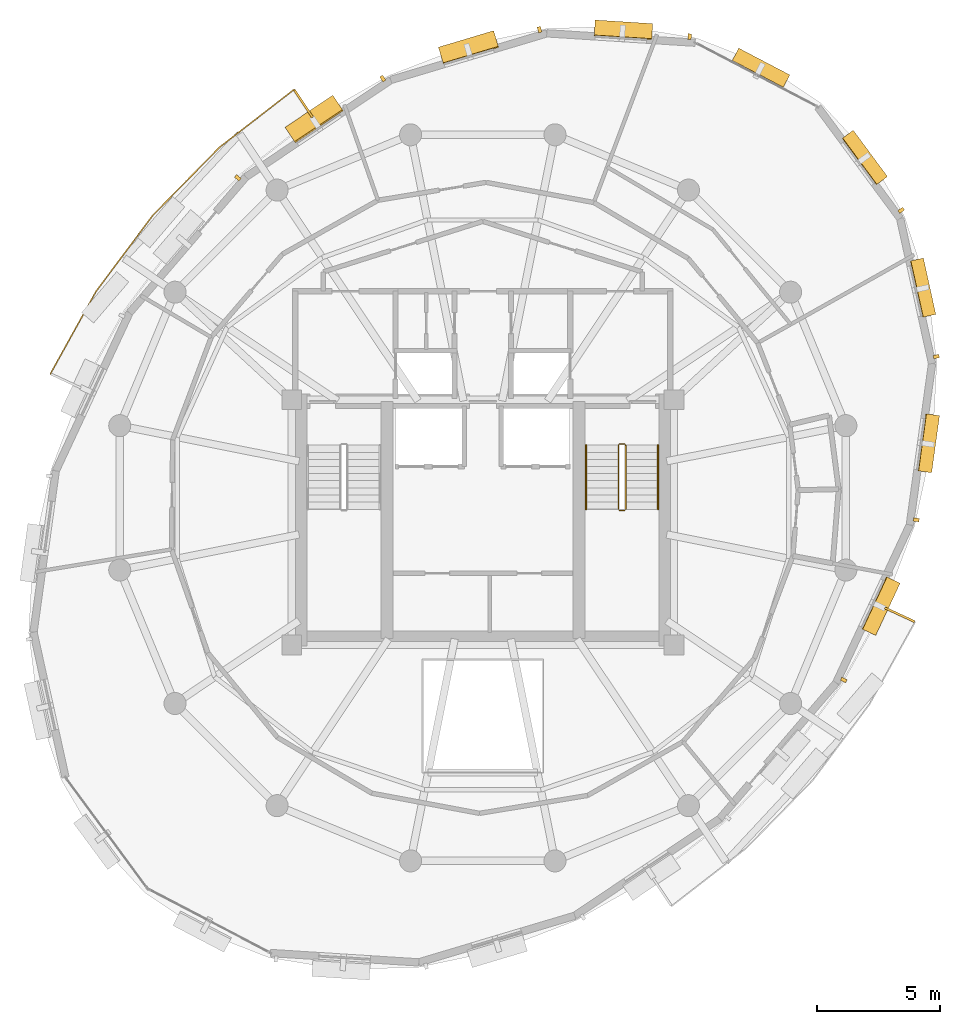
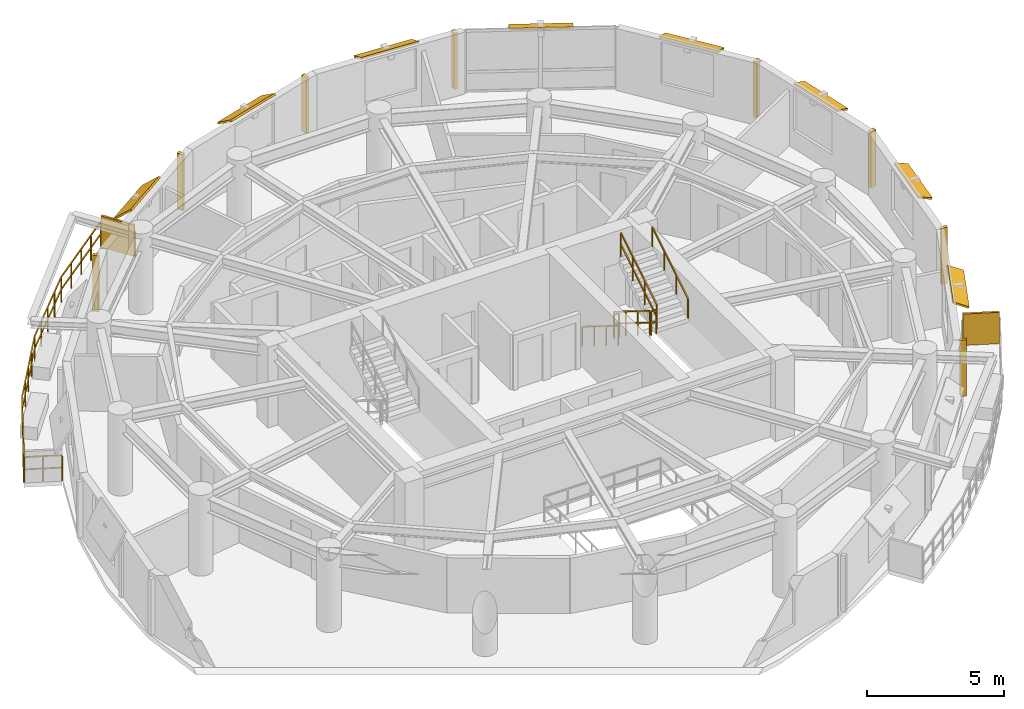
# One storey, part 11 of 11: 18 shading devices, 7 railings.
"""IFC4 building model written with IfcOpenShell, lengths in metres."""

from ifc_helpers import new_model, si_unit, direction, frame, origin, origin_2d, place, context, subcontext, project, spatial, rectangle, extrude, material, layer, layer_set, type_object, element, save


model = new_model("IFC4")

# Units and contexts
model_context = context("Model", 3, precision=1e-05, world=origin(), true_north=direction((0.0, 1.0)))
body_context = subcontext(model_context, "Body", "Model", "MODEL_VIEW")
ifc_project = project(units=[si_unit("LENGTHUNIT", "METRE"), si_unit("AREAUNIT", "SQUARE_METRE"), si_unit("VOLUMEUNIT", "CUBIC_METRE"), si_unit("PLANEANGLEUNIT", "RADIAN"), si_unit("MASSUNIT", "GRAM", prefix="KILO"), si_unit("THERMODYNAMICTEMPERATUREUNIT", "KELVIN"), si_unit("POWERUNIT", "WATT")], contexts=[model_context])

# Site, building, storey
site_placement = place(None, origin())
site = spatial("IfcSite", under=ifc_project, at=site_placement, CompositionType="ELEMENT")
building_placement = place(site_placement, origin())
building = spatial("IfcBuilding", under=site, at=building_placement, Name="Ocrelia Relay Tower", CompositionType="ELEMENT")
storey_placement = place(building_placement, frame((0.0, 0.0, 237.60009765625)))
storey = spatial("IfcBuildingStorey", under=building, at=storey_placement, Name="L58", CompositionType="ELEMENT", Elevation=237.60009765625)

# Railings
ifc_material_1 = material(Name="Steel S355 balustrade", Category="steel")
railing_type_1 = type_object("IfcRailingType", Name="RL-EXT-GUARD-1150", PredefinedType="GUARDRAIL", material=ifc_material_1)
railing_1_placement = place(storey_placement, frame((17.624267578125, 30.475341796875, 0.0)))
element("IfcRailing", 1, at=railing_1_placement, inside=storey, type_object=railing_type_1, Name="L58 Loggia Balcony Guard Rail B1", PredefinedType="GUARDRAIL", context=body_context, shape_type="SweptSolid", body=[
    extrude(rectangle(XDim=0.048095703125, YDim=0.048095703125, at=origin_2d()), frame((0.0, 0.0, 1.1259765625), z_axis=(-0.906884645291, 0.421378974483, 0.0), x_axis=(-0.421378974483, -0.906884645291, 0.0)), (0.0, 0.0, 1.0), 1.393310546875),
    extrude(rectangle(XDim=0.048095703125, YDim=0.048095703125, at=origin_2d()), frame((0.0, 0.0, 0.574951171875), z_axis=(-0.906884645291, 0.421378974483, 0.0), x_axis=(-0.421378974483, -0.906884645291, 0.0)), (0.0, 0.0, 1.0), 1.393310546875),
    extrude(rectangle(XDim=0.048095703125, YDim=0.048095703125, at=origin_2d()), frame((-1.263671875, 0.587158203125, 1.1259765625), z_axis=(0.484195988909, 0.874959567251, 0.0), x_axis=(-0.874959567251, 0.484195988909, 0.0)), (0.0, 0.0, 1.0), 1.920654296875),
    extrude(rectangle(XDim=0.048095703125, YDim=0.048095703125, at=origin_2d()), frame((-1.263671875, 0.587158203125, 0.574951171875), z_axis=(0.484195988909, 0.874959567251, 0.0), x_axis=(-0.874959567251, 0.484195988909, 0.0)), (0.0, 0.0, 1.0), 1.920654296875),
    extrude(rectangle(XDim=0.048095703125, YDim=0.048095703125, at=origin_2d()), frame((-0.333740234375, 2.267578125, 1.1259765625), z_axis=(0.484239443061, 0.874935518644, 0.0), x_axis=(-0.874935518644, 0.484239443061, 0.0)), (0.0, 0.0, 1.0), 1.9208984375),
    extrude(rectangle(XDim=0.048095703125, YDim=0.048095703125, at=origin_2d()), frame((-0.333740234375, 2.267578125, 0.574951171875), z_axis=(0.484239443061, 0.874935518644, 0.0), x_axis=(-0.874935518644, 0.484239443061, 0.0)), (0.0, 0.0, 1.0), 1.9208984375),
    extrude(rectangle(XDim=0.048095703125, YDim=0.048095703125, at=origin_2d()), frame((0.596435546875, 3.9482421875, 1.1259765625), z_axis=(0.598338229352, 0.801243635417, 0.0), x_axis=(-0.801243635417, 0.598338229352, 0.0)), (0.0, 0.0, 1.0), 3.881591796875),
    extrude(rectangle(XDim=0.048095703125, YDim=0.048095703125, at=origin_2d()), frame((0.596435546875, 3.9482421875, 0.574951171875), z_axis=(0.598338229352, 0.801243635417, 0.0), x_axis=(-0.801243635417, 0.598338229352, 0.0)), (0.0, 0.0, 1.0), 3.881591796875),
    extrude(rectangle(XDim=0.048095703125, YDim=0.048095703125, at=origin_2d()), frame((2.9189453125, 7.058349609375, 1.1259765625), z_axis=(0.700282021228, 0.713866297527, 0.0), x_axis=(-0.713866297527, 0.700282021228, 0.0)), (0.0, 0.0, 1.0), 3.882080078125),
    extrude(rectangle(XDim=0.048095703125, YDim=0.048095703125, at=origin_2d()), frame((2.9189453125, 7.058349609375, 0.574951171875), z_axis=(0.700282021228, 0.713866297527, 0.0), x_axis=(-0.713866297527, 0.700282021228, 0.0)), (0.0, 0.0, 1.0), 3.882080078125),
    extrude(rectangle(XDim=0.048095703125, YDim=0.048095703125, at=origin_2d()), frame((5.637451171875, 9.82958984375, 1.1259765625), z_axis=(0.790521208436, 0.612434665098, 0.0), x_axis=(-0.612434665098, 0.790521208436, 0.0)), (0.0, 0.0, 1.0), 1.920654296875),
    extrude(rectangle(XDim=0.048095703125, YDim=0.048095703125, at=origin_2d()), frame((5.637451171875, 9.82958984375, 0.574951171875), z_axis=(0.790521208436, 0.612434665098, 0.0), x_axis=(-0.612434665098, 0.790521208436, 0.0)), (0.0, 0.0, 1.0), 1.920654296875),
    extrude(rectangle(XDim=0.048095703125, YDim=0.048095703125, at=origin_2d()), frame((7.15576171875, 11.005859375, 1.1259765625), z_axis=(0.790630412027, 0.612293680825, 0.0), x_axis=(-0.612293680825, 0.790630412027, 0.0)), (0.0, 0.0, 1.0), 1.920654296875),
    extrude(rectangle(XDim=0.048095703125, YDim=0.048095703125, at=origin_2d()), frame((7.15576171875, 11.005859375, 0.574951171875), z_axis=(0.790630412027, 0.612293680825, 0.0), x_axis=(-0.612293680825, 0.790630412027, 0.0)), (0.0, 0.0, 1.0), 1.920654296875),
    extrude(rectangle(XDim=0.048095703125, YDim=0.048095703125, at=origin_2d()), frame((8.67431640625, 12.181884765625, 1.1259765625), z_axis=(0.555225701546, -0.831699717652, 0.0), x_axis=(0.831699717652, 0.555225701546, 0.0)), (0.0, 0.0, 1.0), 1.3935546875),
    extrude(rectangle(XDim=0.048095703125, YDim=0.048095703125, at=origin_2d()), frame((8.67431640625, 12.181884765625, 0.574951171875), z_axis=(0.555225701546, -0.831699717652, 0.0), x_axis=(0.831699717652, 0.555225701546, 0.0)), (0.0, 0.0, 1.0), 1.3935546875),
    extrude(rectangle(XDim=0.0419921875, YDim=0.0419921875, at=origin_2d()), origin(), (0.0, 0.0, 1.0), 1.101806640625),
    extrude(rectangle(XDim=0.0419921875, YDim=0.0419921875, at=origin_2d()), frame((-0.6318359375, 0.29345703125, 0.0)), (0.0, 0.0, 1.0), 1.101806640625),
    extrude(rectangle(XDim=0.0419921875, YDim=0.0419921875, at=origin_2d()), frame((-1.263671875, 0.587158203125, 0.0)), (0.0, 0.0, 1.0), 1.101806640625),
    extrude(rectangle(XDim=0.0419921875, YDim=0.0419921875, at=origin_2d()), frame((-0.798828125, 1.42724609375, 0.0)), (0.0, 0.0, 1.0), 1.101806640625),
    extrude(rectangle(XDim=0.0419921875, YDim=0.0419921875, at=origin_2d()), frame((-0.333740234375, 2.267578125, 0.0)), (0.0, 0.0, 1.0), 1.101806640625),
    extrude(rectangle(XDim=0.0419921875, YDim=0.0419921875, at=origin_2d()), frame((0.13134765625, 3.10791015625, 0.0)), (0.0, 0.0, 1.0), 1.101806640625),
    extrude(rectangle(XDim=0.0419921875, YDim=0.0419921875, at=origin_2d()), frame((0.596435546875, 3.9482421875, 0.0)), (0.0, 0.0, 1.0), 1.101806640625),
    extrude(rectangle(XDim=0.0419921875, YDim=0.0419921875, at=origin_2d()), frame((1.177001953125, 4.725830078125, 0.0)), (0.0, 0.0, 1.0), 1.101806640625),
    extrude(rectangle(XDim=0.0419921875, YDim=0.0419921875, at=origin_2d()), frame((1.7578125, 5.50341796875, 0.0)), (0.0, 0.0, 1.0), 1.101806640625),
    extrude(rectangle(XDim=0.0419921875, YDim=0.0419921875, at=origin_2d()), frame((2.33837890625, 6.28076171875, 0.0)), (0.0, 0.0, 1.0), 1.101806640625),
    extrude(rectangle(XDim=0.0419921875, YDim=0.0419921875, at=origin_2d()), frame((2.9189453125, 7.058349609375, 0.0)), (0.0, 0.0, 1.0), 1.101806640625),
    extrude(rectangle(XDim=0.0419921875, YDim=0.0419921875, at=origin_2d()), frame((3.5986328125, 7.751220703125, 0.0)), (0.0, 0.0, 1.0), 1.101806640625),
    extrude(rectangle(XDim=0.0419921875, YDim=0.0419921875, at=origin_2d()), frame((4.2783203125, 8.44384765625, 0.0)), (0.0, 0.0, 1.0), 1.101806640625),
    extrude(rectangle(XDim=0.0419921875, YDim=0.0419921875, at=origin_2d()), frame((4.957763671875, 9.13671875, 0.0)), (0.0, 0.0, 1.0), 1.101806640625),
    extrude(rectangle(XDim=0.0419921875, YDim=0.0419921875, at=origin_2d()), frame((5.637451171875, 9.82958984375, 0.0)), (0.0, 0.0, 1.0), 1.101806640625),
    extrude(rectangle(XDim=0.0419921875, YDim=0.0419921875, at=origin_2d()), frame((6.396484375, 10.417724609375, 0.0)), (0.0, 0.0, 1.0), 1.101806640625),
    extrude(rectangle(XDim=0.0419921875, YDim=0.0419921875, at=origin_2d()), frame((7.15576171875, 11.005859375, 0.0)), (0.0, 0.0, 1.0), 1.101806640625),
    extrude(rectangle(XDim=0.0419921875, YDim=0.0419921875, at=origin_2d()), frame((7.9150390625, 11.59375, 0.0)), (0.0, 0.0, 1.0), 1.101806640625),
    extrude(rectangle(XDim=0.0419921875, YDim=0.0419921875, at=origin_2d()), frame((8.67431640625, 12.181884765625, 0.0)), (0.0, 0.0, 1.0), 1.101806640625),
    extrude(rectangle(XDim=0.0419921875, YDim=0.0419921875, at=origin_2d()), frame((9.06103515625, 11.6025390625, 0.0)), (0.0, 0.0, 1.0), 1.101806640625),
    extrude(rectangle(XDim=0.0419921875, YDim=0.0419921875, at=origin_2d()), frame((9.447998046875, 11.02294921875, 0.0)), (0.0, 0.0, 1.0), 1.101806640625),
])
railing_type_2 = type_object("IfcRailingType", Name="RL-STAIR-GUARD", PredefinedType="GUARDRAIL", material=ifc_material_1)
railing_2_placement = place(storey_placement, frame((39.530029296875, 28.14990234375, 0.179931640625)))
element("IfcRailing", 2, at=railing_2_placement, inside=storey, type_object=railing_type_2, Name="L58 ST2 stair guard 1", PredefinedType="GUARDRAIL", context=body_context, shape_type="SweptSolid", body=[
    extrude(rectangle(XDim=0.048095703125, YDim=0.048095703125, at=origin_2d()), frame((0.0, 0.0, 1.076171875), z_axis=(0.0, -0.849646306263, 0.527352969322), x_axis=(1.0, 0.0, 0.0)), (0.0, 0.0, 1.0), 3.07177734375),
    extrude(rectangle(XDim=0.048095703125, YDim=0.048095703125, at=origin_2d()), frame((0.0, 0.0, 0.550048828125), z_axis=(0.0, -0.849646306263, 0.527352969322), x_axis=(1.0, 0.0, 0.0)), (0.0, 0.0, 1.0), 3.07177734375),
    extrude(rectangle(XDim=0.0419921875, YDim=0.0419921875, at=origin_2d()), origin(), (0.0, 0.0, 1.0), 1.052001953125),
    extrude(rectangle(XDim=0.0419921875, YDim=0.0419921875, at=origin_2d()), frame((0.0, -0.869873046875, 0.5400390625)), (0.0, 0.0, 1.0), 1.052001953125),
    extrude(rectangle(XDim=0.0419921875, YDim=0.0419921875, at=origin_2d()), frame((0.0, -1.739990234375, 1.079833984375)), (0.0, 0.0, 1.0), 1.052001953125),
    extrude(rectangle(XDim=0.0419921875, YDim=0.0419921875, at=origin_2d()), frame((0.0, -2.60986328125, 1.619873046875)), (0.0, 0.0, 1.0), 1.052001953125),
])
railing_3_placement = place(storey_placement, frame((39.580078125, 25.489990234375, 1.7998046875)))
element("IfcRailing", 3, at=railing_3_placement, inside=storey, type_object=railing_type_2, Name="L58 ST2 stair guard 2", PredefinedType="GUARDRAIL", context=body_context, shape_type="SweptSolid", body=[
    extrude(rectangle(XDim=0.048095703125, YDim=0.048095703125, at=origin_2d()), frame((0.0, 0.0, 1.076171875), z_axis=(1.0, 0.0, 0.0), x_axis=(0.0, 1.0, 0.0)), (0.0, 0.0, 1.0), 0.199951171875),
    extrude(rectangle(XDim=0.048095703125, YDim=0.048095703125, at=origin_2d()), frame((0.0, 0.0, 0.550048828125), z_axis=(1.0, 0.0, 0.0), x_axis=(0.0, 1.0, 0.0)), (0.0, 0.0, 1.0), 0.199951171875),
    extrude(rectangle(XDim=0.0419921875, YDim=0.0419921875, at=origin_2d()), origin(), (0.0, 0.0, 1.0), 1.052001953125),
    extrude(rectangle(XDim=0.0419921875, YDim=0.0419921875, at=origin_2d()), frame((0.199951171875, 0.0, 0.0)), (0.0, 0.0, 1.0), 1.052001953125),
])
railing_4_placement = place(storey_placement, frame((39.830078125, 25.5400390625, 1.97998046875)))
element("IfcRailing", 4, at=railing_4_placement, inside=storey, type_object=railing_type_2, Name="L58 ST2 stair guard 3", PredefinedType="GUARDRAIL", context=body_context, shape_type="SweptSolid", body=[
    extrude(rectangle(XDim=0.048095703125, YDim=0.048095703125, at=origin_2d()), frame((0.0, 0.0, 1.076171875), z_axis=(0.0, 0.849646306263, 0.527352969322), x_axis=(-1.0, 0.0, 0.0)), (0.0, 0.0, 1.0), 3.07177734375),
    extrude(rectangle(XDim=0.048095703125, YDim=0.048095703125, at=origin_2d()), frame((0.0, 0.0, 0.550048828125), z_axis=(0.0, 0.849646306263, 0.527352969322), x_axis=(-1.0, 0.0, 0.0)), (0.0, 0.0, 1.0), 3.07177734375),
    extrude(rectangle(XDim=0.0419921875, YDim=0.0419921875, at=origin_2d()), origin(), (0.0, 0.0, 1.0), 1.052001953125),
    extrude(rectangle(XDim=0.0419921875, YDim=0.0419921875, at=origin_2d()), frame((0.0, 0.869873046875, 0.5400390625)), (0.0, 0.0, 1.0), 1.052001953125),
    extrude(rectangle(XDim=0.0419921875, YDim=0.0419921875, at=origin_2d()), frame((0.0, 1.739990234375, 1.079833984375)), (0.0, 0.0, 1.0), 1.052001953125),
    extrude(rectangle(XDim=0.0419921875, YDim=0.0419921875, at=origin_2d()), frame((0.0, 2.60986328125, 1.619873046875)), (0.0, 0.0, 1.0), 1.052001953125),
])
railing_5_placement = place(storey_placement, frame((39.580078125, 28.199951171875, 0.0)))
element("IfcRailing", 5, at=railing_5_placement, inside=storey, type_object=railing_type_2, Name="L58 ST2 stair guard 4", PredefinedType="GUARDRAIL", context=body_context, shape_type="SweptSolid", body=[
    extrude(rectangle(XDim=0.048095703125, YDim=0.048095703125, at=origin_2d()), frame((0.0, 0.0, 1.076171875), z_axis=(1.0, 0.0, 0.0), x_axis=(0.0, 1.0, 0.0)), (0.0, 0.0, 1.0), 0.199951171875),
    extrude(rectangle(XDim=0.048095703125, YDim=0.048095703125, at=origin_2d()), frame((0.0, 0.0, 0.550048828125), z_axis=(1.0, 0.0, 0.0), x_axis=(0.0, 1.0, 0.0)), (0.0, 0.0, 1.0), 0.199951171875),
    extrude(rectangle(XDim=0.0419921875, YDim=0.0419921875, at=origin_2d()), origin(), (0.0, 0.0, 1.0), 1.052001953125),
    extrude(rectangle(XDim=0.0419921875, YDim=0.0419921875, at=origin_2d()), frame((0.199951171875, 0.0, 0.0)), (0.0, 0.0, 1.0), 1.052001953125),
])
ifc_material_2 = material(Name="Steel S355 tubular handrail", Category="steel")
railing_type_3 = type_object("IfcRailingType", Name="RL-STAIR-HAND", PredefinedType="HANDRAIL", material=ifc_material_2)
railing_6_placement = place(storey_placement, frame((38.2099609375, 28.14990234375, 0.179931640625)))
element("IfcRailing", 6, at=railing_6_placement, inside=storey, type_object=railing_type_3, Name="L58 ST2 stair handrail 1", PredefinedType="HANDRAIL", context=body_context, shape_type="SweptSolid", body=[
    extrude(rectangle(XDim=0.048095703125, YDim=0.048095703125, at=origin_2d()), frame((0.0, 0.0, 0.8759765625), z_axis=(0.0, -0.849646306263, 0.527352969322), x_axis=(1.0, 0.0, 0.0)), (0.0, 0.0, 1.0), 3.07177734375),
    extrude(rectangle(XDim=0.0419921875, YDim=0.0419921875, at=origin_2d()), origin(), (0.0, 0.0, 1.0), 0.851806640625),
    extrude(rectangle(XDim=0.0419921875, YDim=0.0419921875, at=origin_2d()), frame((0.0, -0.869873046875, 0.5400390625)), (0.0, 0.0, 1.0), 0.851806640625),
    extrude(rectangle(XDim=0.0419921875, YDim=0.0419921875, at=origin_2d()), frame((0.0, -1.739990234375, 1.079833984375)), (0.0, 0.0, 1.0), 0.851806640625),
    extrude(rectangle(XDim=0.0419921875, YDim=0.0419921875, at=origin_2d()), frame((0.0, -2.60986328125, 1.619873046875)), (0.0, 0.0, 1.0), 0.851806640625),
])
railing_7_placement = place(storey_placement, frame((41.14990234375, 25.5400390625, 1.97998046875)))
element("IfcRailing", 7, at=railing_7_placement, inside=storey, type_object=railing_type_3, Name="L58 ST2 stair handrail 2", PredefinedType="HANDRAIL", context=body_context, shape_type="SweptSolid", body=[
    extrude(rectangle(XDim=0.048095703125, YDim=0.048095703125, at=origin_2d()), frame((0.0, 0.0, 0.8759765625), z_axis=(0.0, 0.849646306263, 0.527352969322), x_axis=(-1.0, 0.0, 0.0)), (0.0, 0.0, 1.0), 3.07177734375),
    extrude(rectangle(XDim=0.0419921875, YDim=0.0419921875, at=origin_2d()), origin(), (0.0, 0.0, 1.0), 0.851806640625),
    extrude(rectangle(XDim=0.0419921875, YDim=0.0419921875, at=origin_2d()), frame((0.0, 0.869873046875, 0.5400390625)), (0.0, 0.0, 1.0), 0.851806640625),
    extrude(rectangle(XDim=0.0419921875, YDim=0.0419921875, at=origin_2d()), frame((0.0, 1.739990234375, 1.079833984375)), (0.0, 0.0, 1.0), 0.851806640625),
    extrude(rectangle(XDim=0.0419921875, YDim=0.0419921875, at=origin_2d()), frame((0.0, 2.60986328125, 1.619873046875)), (0.0, 0.0, 1.0), 0.851806640625),
])

# Shading devices
ifc_material_3 = material(Name="Perforated oxide terracotta solar screen", Category="masonry")
ifc_layer_1 = layer(ifc_material_3, 0.090087890625, Name="Perforated oxide terracotta solar screen")
ifc_layer_set_1 = layer_set([ifc_layer_1], Name="Perforated oxide terracotta solar screen")
shading_device_type_1 = type_object("IfcShadingDeviceType", Name="SH-BALC-SCREEN", PredefinedType="USERDEFINED", material=ifc_layer_set_1)
for number, where, z_axis, x_axis, name in (
    (8, (26.685302734375, 42.07763671875, 0.0), (0.0, 0.0, 1.0), (-0.555081030068, 0.831796279181, 0.0), "L58 Balcony Perforated Terracotta Screen B1-1"),
    (9, (51.007568359375, 21.231201171875, 0.0), (0.0, 0.0, 1.0), (0.90690419026, -0.421336907579, 0.0), "L58 Balcony Perforated Terracotta Screen B2-2"),
):
    element("IfcShadingDevice", number, at=place(storey_placement, frame(where, z_axis=z_axis, x_axis=x_axis)), inside=storey, type_object=shading_device_type_1, Name=name, ObjectType="SCREEN", PredefinedType="USERDEFINED", context=body_context, shape_type="SweptSolid", body=[
        extrude(rectangle(XDim=1.340087890625, YDim=0.090087890625, at=origin_2d()), origin(), (0.0, 0.0, 1.0), 1.39990234375),
    ])
ifc_material_4 = material(Name="Extruded oxide terracotta vertical baguette", Category="masonry")
shading_device_type_2 = type_object("IfcShadingDeviceType", Name="SH-TERR-BAGUETTE", PredefinedType="USERDEFINED", material=ifc_material_4)
for number, where, z_axis, x_axis, name in (
    (10, (42.43603515625, 44.811279296875, 0.1298828125), (0.0, 0.0, 1.0), (-0.998007191825, 0.063100277851, 0.0), "L58 Oxide Terracotta Vertical Baguette 02"),
    (11, (36.315673828125, 45.1005859375, 0.1298828125), (0.0, 0.0, 1.0), (-0.958092683106, -0.286458392405, 0.0), "L58 Oxide Terracotta Vertical Baguette 03"),
    (12, (29.919189453125, 43.103759765625, 0.1298828125), (0.0, 0.0, 1.0), (-0.83090253569, -0.556417986934, 0.0), "L58 Oxide Terracotta Vertical Baguette 04"),
    (13, (24.00390625, 39.0546875, 0.1298828125), (0.0, 0.0, 1.0), (-0.650774435934, -0.759271119914, 0.0), "L58 Oxide Terracotta Vertical Baguette 05"),
    (14, (48.7216796875, 18.57080078125, 0.1298828125), (0.0, 0.0, 1.0), (0.42275697085, 0.906243092993, 0.0), "L58 Oxide Terracotta Vertical Baguette 15"),
    (15, (51.680419921875, 25.10498046875, 0.1298828125), (0.0, 0.0, 1.0), (0.136515654757, 0.990637913673, 0.0), "L58 Oxide Terracotta Vertical Baguette 16"),
    (16, (52.49951171875, 31.763427734375, 0.1298828125), (0.0, 0.0, 1.0), (-0.215050599769, 0.976602907808, 0.0), "L58 Oxide Terracotta Vertical Baguette 17"),
    (17, (51.0654296875, 37.729248046875, 0.1298828125), (0.0, 0.0, 1.0), (-0.594079500089, 0.804406332381, 0.0), "L58 Oxide Terracotta Vertical Baguette 18"),
):
    element("IfcShadingDevice", number, at=place(storey_placement, frame(where, z_axis=z_axis, x_axis=x_axis)), inside=storey, type_object=shading_device_type_2, Name=name, ObjectType="BAGUETTE", PredefinedType="USERDEFINED", context=body_context, shape_type="SweptSolid", body=[
        extrude(rectangle(XDim=0.139892578125, YDim=0.239990234375, at=origin_2d()), origin(), (0.0, 0.0, 1.0), 2.5),
    ])
ifc_material_5 = material(Name="Extruded oxide terracotta fin", Category="masonry")
ifc_layer_2 = layer(ifc_material_5, 0.080078125, Name="Extruded oxide terracotta fin")
ifc_layer_set_2 = layer_set([ifc_layer_2], Name="Extruded oxide terracotta fin")
shading_device_type_3 = type_object("IfcShadingDeviceType", Name="SH-VISOR-FIN-MED", PredefinedType="USERDEFINED", material=ifc_layer_set_2)
shading_device_1_placement = place(storey_placement, frame((33.423095703125, 44.358642578125, 2.566162109375), z_axis=(-0.154124756184, 0.515487781473, 0.842922242371), x_axis=(-0.958092683106, -0.286458392405, 0.0)))
element("IfcShadingDevice", 18, at=shading_device_1_placement, inside=storey, type_object=shading_device_type_3, Name="L58 Canted Terracotta Sun-Visor Fin 03", ObjectType="FIN", PredefinedType="USERDEFINED", context=body_context, shape_type="SweptSolid", body=[
    extrude(rectangle(XDim=2.35009765625, YDim=0.79296875, at=origin_2d()), origin(), (0.0, 0.0, 1.0), 0.080078125),
])
shading_device_2_placement = place(storey_placement, frame((27.133056640625, 41.43212890625, 2.56982421875), z_axis=(-0.369275221994, 0.551441048865, 0.748029798903), x_axis=(-0.83090253569, -0.556417986934, 0.0)))
element("IfcShadingDevice", 19, at=shading_device_2_placement, inside=storey, type_object=shading_device_type_3, Name="L58 Canted Terracotta Sun-Visor Fin 04", ObjectType="FIN", PredefinedType="USERDEFINED", context=body_context, shape_type="SweptSolid", body=[
    extrude(rectangle(XDim=2.35009765625, YDim=0.943115234375, at=origin_2d()), origin(), (0.0, 0.0, 1.0), 0.080078125),
])
ifc_layer_3 = layer(ifc_material_5, 0.080078125, Name="Extruded oxide terracotta fin")
ifc_layer_set_3 = layer_set([ifc_layer_3], Name="Extruded oxide terracotta fin")
shading_device_type_4 = type_object("IfcShadingDeviceType", Name="SH-VISOR-FIN-SHAL", PredefinedType="USERDEFINED", material=ifc_layer_set_3)
shading_device_3_placement = place(storey_placement, frame((45.336669921875, 43.5205078125, 2.562744140625), z_axis=(0.171345915408, 0.327098888516, 0.929326043111), x_axis=(-0.885822182223, 0.46402485007, 0.0)))
element("IfcShadingDevice", 20, at=shading_device_3_placement, inside=storey, type_object=shading_device_type_4, Name="L58 Canted Terracotta Sun-Visor Fin 01", ObjectType="FIN", PredefinedType="USERDEFINED", context=body_context, shape_type="SweptSolid", body=[
    extrude(rectangle(XDim=2.35009765625, YDim=0.611083984375, at=origin_2d()), origin(), (0.0, 0.0, 1.0), 0.080078125),
])
shading_device_4_placement = place(storey_placement, frame((39.736083984375, 45.076904296875, 2.56396484375), z_axis=(0.027691032833, 0.437967166823, 0.898564392509), x_axis=(-0.998007191825, 0.063100277851, 0.0)))
element("IfcShadingDevice", 21, at=shading_device_4_placement, inside=storey, type_object=shading_device_type_4, Name="L58 Canted Terracotta Sun-Visor Fin 02", ObjectType="FIN", PredefinedType="USERDEFINED", context=body_context, shape_type="SweptSolid", body=[
    extrude(rectangle(XDim=2.35009765625, YDim=0.68408203125, at=origin_2d()), origin(), (0.0, 0.0, 1.0), 0.080078125),
])
shading_device_5_placement = place(storey_placement, frame((50.229736328125, 21.592041015625, 2.563232421875), z_axis=(0.363827857407, -0.169723514692, 0.915872927177), x_axis=(0.42275697085, 0.906243092993, 0.0)))
element("IfcShadingDevice", 22, at=shading_device_5_placement, inside=storey, type_object=shading_device_type_4, Name="L58 Canted Terracotta Sun-Visor Fin 15", ObjectType="FIN", PredefinedType="USERDEFINED", context=body_context, shape_type="SweptSolid", body=[
    extrude(rectangle(XDim=2.35009765625, YDim=0.64501953125, at=origin_2d()), origin(), (0.0, 0.0, 1.0), 0.080078125),
])
shading_device_6_placement = place(storey_placement, frame((52.177490234375, 28.229736328125, 2.56201171875), z_axis=(0.325461185627, -0.04485044055, 0.944491108816), x_axis=(0.136515654757, 0.990637913673, 0.0)))
element("IfcShadingDevice", 23, at=shading_device_6_placement, inside=storey, type_object=shading_device_type_4, Name="L58 Canted Terracotta Sun-Visor Fin 16", ObjectType="FIN", PredefinedType="USERDEFINED", context=body_context, shape_type="SweptSolid", body=[
    extrude(rectangle(XDim=2.35009765625, YDim=0.570068359375, at=origin_2d()), origin(), (0.0, 0.0, 1.0), 0.080078125),
])
shading_device_7_placement = place(storey_placement, frame((51.9462890625, 34.572265625, 2.561767578125), z_axis=(0.301786895269, 0.066454289979, 0.951056516295), x_axis=(-0.215050599769, 0.976602907808, 0.0)))
element("IfcShadingDevice", 24, at=shading_device_7_placement, inside=storey, type_object=shading_device_type_4, Name="L58 Canted Terracotta Sun-Visor Fin 17", ObjectType="FIN", PredefinedType="USERDEFINED", context=body_context, shape_type="SweptSolid", body=[
    extrude(rectangle(XDim=2.35009765625, YDim=0.550048828125, at=origin_2d()), origin(), (0.0, 0.0, 1.0), 0.080078125),
])
shading_device_8_placement = place(storey_placement, frame((49.572021484375, 39.87646484375, 2.56201171875), z_axis=(0.262021827527, 0.193511400947, 0.945461738836), x_axis=(-0.594079500089, 0.804406332381, 0.0)))
element("IfcShadingDevice", 25, at=shading_device_8_placement, inside=storey, type_object=shading_device_type_4, Name="L58 Canted Terracotta Sun-Visor Fin 18", ObjectType="FIN", PredefinedType="USERDEFINED", context=body_context, shape_type="SweptSolid", body=[
    extrude(rectangle(XDim=2.35009765625, YDim=0.56689453125, at=origin_2d()), origin(), (0.0, 0.0, 1.0), 0.080078125),
])

save(model, "model.ifc")
